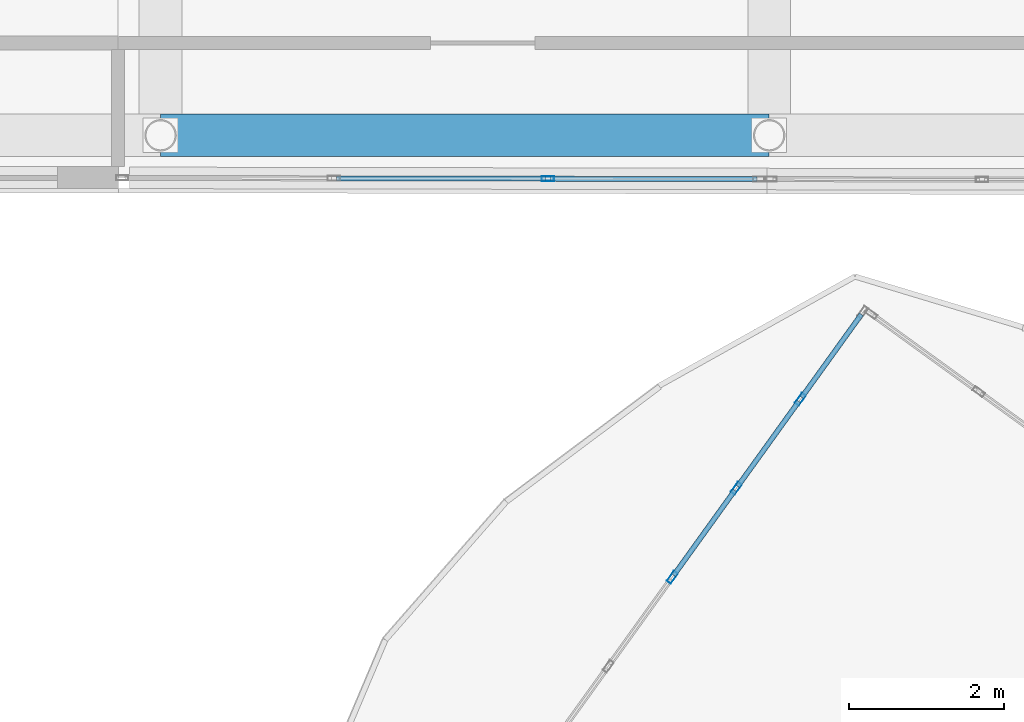
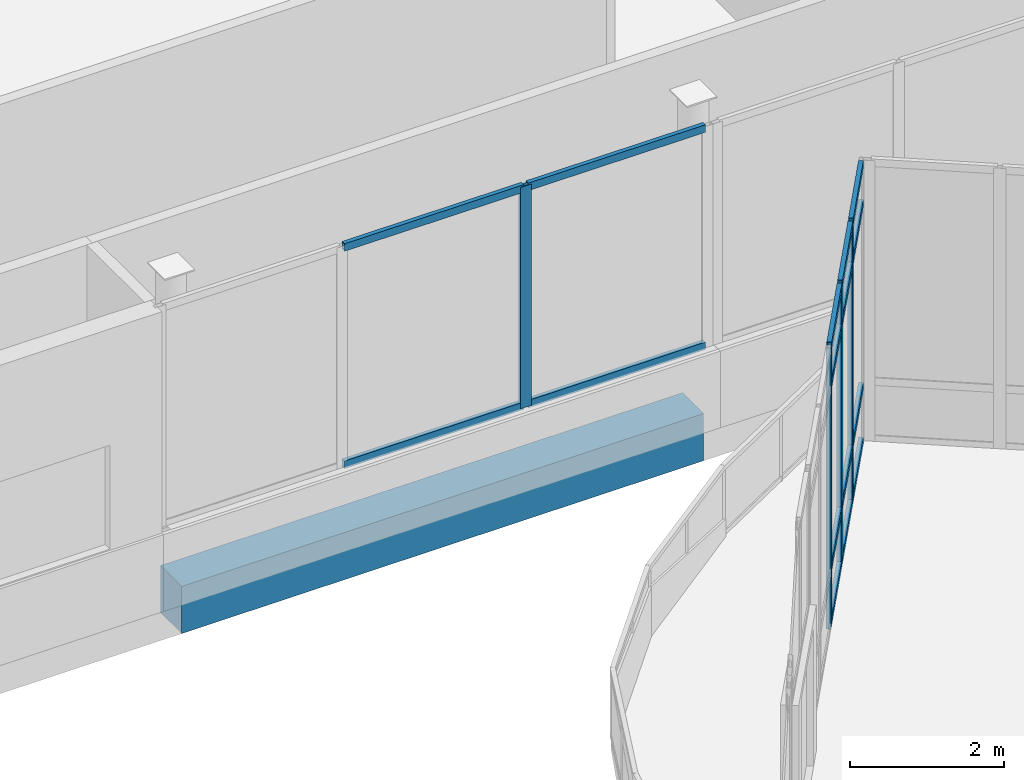
# One storey, part 26 of 155: 20 members, 1 beam, 2 elements without a shape of their own.
"""IFC4 building model written with IfcOpenShell, lengths in metres."""

import ifcopenshell
import ifcopenshell.guid

model = None  # the IFC model being written
_history = None  # IfcOwnerHistory: only IFC2X3 demands one
_inside = {}  # id of a spatial element -> (the spatial element, [elements in it])
_under = {}  # id of a project, library or spatial element -> (it, [spatial elements below it])
_declared = {}  # id of a project -> (the project, [libraries it declares])
_typed = {}  # id of a type object -> (the type object, [elements of that type])
_made_of = {}  # id of a material, layer set ... -> (it, [elements and type objects made of it])


def new_model(schema):
    """Start an empty IFC model of exactly this schema.

    Asked for "IFC4X3", IfcOpenShell would pick the latest addendum, in which some entities
    have other attributes; the version numbers below select the first issue.
    IFC2X3 requires an IfcOwnerHistory on every rooted entity: one is made here for all.
    """
    global model, _history
    if schema == "IFC4X3":
        model = ifcopenshell.file(schema_version=(4, 3, 0, 0))
    else:
        model = ifcopenshell.file(schema=schema)
    _inside.clear()
    _under.clear()
    _declared.clear()
    _typed.clear()
    _made_of.clear()
    _history = None
    if model.schema == "IFC2X3":
        org = make("IfcOrganization", Name="unknown")
        user = make(
            "IfcPersonAndOrganization",
            ThePerson=make("IfcPerson", FamilyName="unknown"),
            TheOrganization=org,
        )
        app = make(
            "IfcApplication",
            ApplicationDeveloper=org,
            Version="unknown",
            ApplicationFullName="unknown",
            ApplicationIdentifier="unknown",
        )
        _history = make(
            "IfcOwnerHistory",
            OwningUser=user,
            OwningApplication=app,
            ChangeAction="ADDED",
            CreationDate=0,
        )
    return model


def make(cls, **values):
    """One entity of the class cls with the attributes given. An attribute that is None is left unset."""
    return model.create_entity(
        cls, **{name: value for name, value in values.items() if value is not None}
    )


def rooted(cls, **values):
    """An entity with a GlobalId (a new one), such as an element, a storey or a relation."""
    return make(cls, GlobalId=ifcopenshell.guid.new(), OwnerHistory=_history, **values)


def si_unit(unit_type, name, prefix=None):
    """IfcSIUnit, for example si_unit("LENGTHUNIT", "METRE", prefix="MILLI")."""
    return make("IfcSIUnit", UnitType=unit_type, Prefix=prefix, Name=name)


def assignment(units):
    """IfcUnitAssignment: the units of a project."""
    return None if units is None else make("IfcUnitAssignment", Units=units)


def point(xyz):
    """IfcCartesianPoint."""
    return None if xyz is None else make("IfcCartesianPoint", Coordinates=xyz)


def direction(xyz):
    """IfcDirection."""
    return None if xyz is None else make("IfcDirection", DirectionRatios=xyz)


def frame(location, z_axis=None, x_axis=None):
    """IfcAxis2Placement3D, a coordinate frame: its origin and axes. An axis left out is left unset."""
    return make(
        "IfcAxis2Placement3D",
        Location=point(location),
        Axis=direction(z_axis),
        RefDirection=direction(x_axis),
    )


def frame_2d(location, x_axis=None):
    """IfcAxis2Placement2D, a coordinate frame in the plane: its origin and x axis."""
    return make(
        "IfcAxis2Placement2D", Location=point(location), RefDirection=direction(x_axis)
    )


def origin():
    """The frame at (0, 0, 0) with its axes left unset."""
    return frame((0.0, 0.0, 0.0))


def origin_2d():
    """The frame at (0, 0) in the plane with its x axis left unset."""
    return frame_2d((0.0, 0.0))


def place(relative_to, where):
    """IfcLocalPlacement: puts the frame where relative to a parent placement (None: the world)."""
    return make(
        "IfcLocalPlacement", PlacementRelTo=relative_to, RelativePlacement=where
    )


def context(
    kind, dimensions, precision=None, world=None, true_north=None, identifier=None
):
    """IfcGeometricRepresentationContext, for example the 3D "Model" context."""
    return make(
        "IfcGeometricRepresentationContext",
        ContextIdentifier=identifier,
        ContextType=kind,
        CoordinateSpaceDimension=dimensions,
        Precision=precision,
        WorldCoordinateSystem=world,
        TrueNorth=true_north,
    )


def subcontext(parent, identifier, kind, view, scale=None):
    """IfcGeometricRepresentationSubContext, for example "Body" below "Model"."""
    return make(
        "IfcGeometricRepresentationSubContext",
        ContextIdentifier=identifier,
        ContextType=kind,
        ParentContext=parent,
        TargetScale=scale,
        TargetView=view,
    )


def project(units=None, contexts=None):
    """IfcProject with its units and contexts."""
    return rooted(
        "IfcProject",
        Name="project",
        RepresentationContexts=contexts,
        UnitsInContext=assignment(units),
    )


def spatial(cls, under=None, at=None, **own):
    """A site, building, storey or space (cls), placed at a placement, below another one or the project."""
    s = rooted(cls, ObjectPlacement=at, **own)
    if under is not None:
        _under.setdefault(under.id(), (under, []))[1].append(s)
    return s


def profile(cls, at=None, kind="AREA", **sizes):
    """A parametric profile (cls). Its sizes go by their IFC names, for example OverallWidth=200.0."""
    return make(cls, ProfileType=kind, Position=at, **sizes)


def rectangle(**sizes):
    """IfcRectangleProfileDef."""
    return profile("IfcRectangleProfileDef", **sizes)


def hollow_rectangle(**sizes):
    """IfcRectangleHollowProfileDef."""
    return profile("IfcRectangleHollowProfileDef", **sizes)


def extrude(swept, where, along, depth):
    """IfcExtrudedAreaSolid: the profile swept, set in the frame where, extruded along a direction by depth."""
    return make(
        "IfcExtrudedAreaSolid",
        SweptArea=swept,
        Position=where,
        ExtrudedDirection=direction(along),
        Depth=depth,
    )


def shape(context_of_items, identifier, shape_type, items):
    """IfcShapeRepresentation: the items that make up one representation, for example the "Body"."""
    return make(
        "IfcShapeRepresentation",
        ContextOfItems=context_of_items,
        RepresentationIdentifier=identifier,
        RepresentationType=shape_type,
        Items=items,
    )


def material(Name=None, Category=None):
    """IfcMaterial."""
    return make("IfcMaterial", Name=Name, Category=Category)


def material_profile(
    of_material, cross_section, Name=None, Category=None, Priority=None
):
    """IfcMaterialProfile: a cross section and its material."""
    return make(
        "IfcMaterialProfile",
        Name=Name,
        Material=of_material,
        Profile=cross_section,
        Priority=Priority,
        Category=Category,
    )


def profile_set(profiles, Name=None, composite=None):
    """IfcMaterialProfileSet."""
    return make(
        "IfcMaterialProfileSet",
        Name=Name,
        MaterialProfiles=profiles,
        CompositeProfile=composite,
    )


def made_of(thing, what):
    """Note that an element or type object is made of a material, layer set ...; save() writes the relation."""
    if what is not None:
        _made_of.setdefault(what.id(), (what, []))[1].append(thing)
    return thing


def type_object(cls, material=None, **own):
    """A type object (cls), such as IfcWallType, which elements share."""
    return made_of(rooted(cls, **own), material)


def element(
    cls,
    number,
    at=None,
    inside=None,
    cuts=None,
    type_object=None,
    material=None,
    context=None,
    identifier="Body",
    shape_type=None,
    held_by="IfcProductDefinitionShape",
    body=None,
    shapes=None,
    **own,
):
    """One element of the class cls, such as IfcWall. Its Tag is "e" and its number.

    at: its placement. inside: the storey or other place that contains it. cuts: it is an
    opening in that element (IfcRelVoidsElement). A single representation is given by context,
    identifier, shape_type and body (its items); several are given by shapes. held_by: the class
    of the entity that holds the representations. save() writes the other relations.
    """
    e = rooted(cls, Tag="e%d" % number, ObjectPlacement=at, **own)
    if body is not None:
        shapes = [shape(context, identifier, shape_type, body)]
    if shapes is not None:
        e.Representation = make(held_by, Representations=shapes)
    if inside is not None:
        _inside.setdefault(inside.id(), (inside, []))[1].append(e)
    if cuts is not None:
        rooted(
            "IfcRelVoidsElement", RelatingBuildingElement=cuts, RelatedOpeningElement=e
        )
    if type_object is not None:
        _typed.setdefault(type_object.id(), (type_object, []))[1].append(e)
    return made_of(e, material)


def aggregate(whole, parts):
    """IfcRelAggregates: a whole, such as a stair, and the parts it consists of."""
    return rooted("IfcRelAggregates", RelatingObject=whole, RelatedObjects=parts)


def save(model, path):
    """Write the relations noted so far, then the file.

    IfcRelAggregates (storeys below a building ...), IfcRelContainedInSpatialStructure (elements
    in a storey), IfcRelDefinesByType, IfcRelAssociatesMaterial and IfcRelDeclares: one each for
    every whole, place, type object, material and project.
    """
    for whole, parts in _under.values():
        aggregate(whole, parts)
    for where, things in _inside.values():
        rooted(
            "IfcRelContainedInSpatialStructure",
            RelatedElements=things,
            RelatingStructure=where,
        )
    for kind, things in _typed.values():
        rooted("IfcRelDefinesByType", RelatedObjects=things, RelatingType=kind)
    for what, things in _made_of.values():
        rooted("IfcRelAssociatesMaterial", RelatedObjects=things, RelatingMaterial=what)
    for by, libraries in _declared.values():
        rooted("IfcRelDeclares", RelatingContext=by, RelatedDefinitions=libraries)
    model.write(path)


model = new_model("IFC4")

# Units and contexts
model_context = context("Model", 3, precision=1e-05, world=origin(), true_north=direction((0.0, 1.0)))
body_context = subcontext(model_context, "Body", "Model", "MODEL_VIEW")
ifc_project = project(units=[si_unit("LENGTHUNIT", "METRE"), si_unit("AREAUNIT", "SQUARE_METRE"), si_unit("VOLUMEUNIT", "CUBIC_METRE"), si_unit("PLANEANGLEUNIT", "RADIAN"), si_unit("MASSUNIT", "GRAM", prefix="KILO")], contexts=[model_context])

# Site, building, storey
site_placement = place(None, origin())
site = spatial("IfcSite", under=ifc_project, at=site_placement, CompositionType="ELEMENT")
building_placement = place(site_placement, origin())
building = spatial("IfcBuilding", under=site, at=building_placement, Name="Selatvlak General Hospital", CompositionType="ELEMENT")
storey_placement = place(building_placement, frame((0.0, 0.0, 10.199951171875)))
storey = spatial("IfcBuildingStorey", under=building, at=storey_placement, Name="L02", CompositionType="ELEMENT", Elevation=10.199951171875)

# Beam
ifc_material_1 = material(Name="Concrete C40/50", Category="concrete")
ifc_material_profile_1 = material_profile(ifc_material_1, rectangle(XDim=0.550048828125, YDim=0.75, at=origin_2d()), Name="RC-BM 550x750")
ifc_profile_set_1 = profile_set([ifc_material_profile_1], Name="Concrete C40/50")
beam_type = type_object("IfcBeamType", Name="BM-G02", PredefinedType="BEAM", material=ifc_profile_set_1)
beam_placement = place(storey_placement, frame((23.35009765625, 52.550048828125, -0.72998046875), z_axis=(1.0, 0.0, 0.0), x_axis=(0.0, 1.0, 0.0)))
element("IfcBeam", 1, at=beam_placement, inside=storey, type_object=beam_type, Name="Beam BMR-L02-0767", PredefinedType="BEAM", context=body_context, shape_type="SweptSolid", body=[
    extrude(rectangle(XDim=0.550048828125, YDim=0.75, at=origin_2d()), origin(), (0.0, 0.0, 1.0), 7.849853515625),
])

# Curtain wall, members
ifc_material_2 = material(Name="Solar-control Low-E double glazing", Category="glass")
curtain_wall_type_1 = type_object("IfcCurtainWallType", Name="CW-CW-01", PredefinedType="USERDEFINED", material=ifc_material_2)
curtain_wall_1_placement = place(storey_placement, origin())
curtain_wall_1 = element("IfcCurtainWall", 2, at=curtain_wall_1_placement, inside=storey, type_object=curtain_wall_type_1, Name="Glazed facade curtain wall CW-L02-0320", ObjectType="UNITISED CURTAIN WALL", PredefinedType="USERDEFINED")
ifc_material_3 = material(Name="Dark anodised aluminium mullion", Category="aluminium")
ifc_material_profile_2 = material_profile(ifc_material_3, hollow_rectangle(XDim=0.06494140625, YDim=0.159912109375, WallThickness=0.00390625, at=origin_2d()), Name="AL-MUL 65x160x4")
ifc_profile_set_2 = profile_set([ifc_material_profile_2], Name="Dark anodised aluminium mullion")
member_type_1 = type_object("IfcMemberType", Name="CWM-01", PredefinedType="MULLION", material=ifc_profile_set_2)
member_1_placement = place(storey_placement, frame((29.94970703125, 46.848388671875, 0.0), z_axis=(0.0, 0.0, 1.0), x_axis=(-0.811837318502, 0.583883694145, 0.0)))
member_1 = element("IfcMember", 3, at=member_1_placement, type_object=member_type_1, Name="CW-01 mullion 3", PredefinedType="MULLION", context=body_context, shape_type="SweptSolid", body=[
    extrude(hollow_rectangle(XDim=0.06494140625, YDim=0.159912109375, WallThickness=0.00390625, at=origin_2d()), origin(), (0.0, 0.0, 1.0), 4.4599609375),
])
member_2_placement = place(storey_placement, frame((30.775390625, 47.99658203125, 0.0), z_axis=(0.0, 0.0, 1.0), x_axis=(-0.811837318502, 0.583883694145, 0.0)))
member_2 = element("IfcMember", 4, at=member_2_placement, type_object=member_type_1, Name="CW-01 mullion 4", PredefinedType="MULLION", context=body_context, shape_type="SweptSolid", body=[
    extrude(hollow_rectangle(XDim=0.06494140625, YDim=0.159912109375, WallThickness=0.00390625, at=origin_2d()), origin(), (0.0, 0.0, 1.0), 4.4599609375),
])
member_3_placement = place(storey_placement, frame((31.601318359375, 49.144775390625, 0.0), z_axis=(0.0, 0.0, 1.0), x_axis=(-0.811837318502, 0.583883694145, 0.0)))
member_3 = element("IfcMember", 5, at=member_3_placement, type_object=member_type_1, Name="CW-01 mullion 5", PredefinedType="MULLION", context=body_context, shape_type="SweptSolid", body=[
    extrude(hollow_rectangle(XDim=0.06494140625, YDim=0.159912109375, WallThickness=0.00390625, at=origin_2d()), origin(), (0.0, 0.0, 1.0), 4.4599609375),
])

# Curtain wall, member
curtain_wall_type_2 = type_object("IfcCurtainWallType", Name="CW-CW-02", PredefinedType="USERDEFINED", material=ifc_material_2)
curtain_wall_2_placement = place(storey_placement, origin())
curtain_wall_2 = element("IfcCurtainWall", 6, at=curtain_wall_2_placement, inside=storey, type_object=curtain_wall_type_2, Name="Glazed facade curtain wall CW-L02-0345", ObjectType="UNITISED CURTAIN WALL", PredefinedType="USERDEFINED")
member_4_placement = place(storey_placement, frame((28.34521484375, 51.989990234375, 0.93994140625), z_axis=(0.0, 0.0, 1.0), x_axis=(-0.001811153756, -0.99999835986, 0.0)))
member_4 = element("IfcMember", 7, at=member_4_placement, type_object=member_type_1, Name="CW-02 mullion 2", PredefinedType="MULLION", context=body_context, shape_type="SweptSolid", body=[
    extrude(hollow_rectangle(XDim=0.06494140625, YDim=0.159912109375, WallThickness=0.00390625, at=origin_2d()), origin(), (0.0, 0.0, 1.0), 3.52001953125),
])

# Member
ifc_material_profile_3 = material_profile(ifc_material_3, hollow_rectangle(XDim=0.06494140625, YDim=0.1201171875, WallThickness=0.00390625, at=origin_2d()), Name="AL-TRN 65x120x4")
ifc_profile_set_3 = profile_set([ifc_material_profile_3], Name="Dark anodised aluminium mullion")
member_type_2 = type_object("IfcMemberType", Name="CWT-01", PredefinedType="USERDEFINED", material=ifc_profile_set_3)
member_5_placement = place(storey_placement, frame((29.968505859375, 46.874755859375, 0.032470703125), z_axis=(0.583870898815, 0.811846520912, 0.0), x_axis=(-0.811846520912, 0.583870898815, 0.0)))
member_5 = element("IfcMember", 8, at=member_5_placement, type_object=member_type_2, Name="CW-01 transom 3.1", ObjectType="TRANSOM", PredefinedType="USERDEFINED", context=body_context, shape_type="SweptSolid", body=[
    extrude(hollow_rectangle(XDim=0.06494140625, YDim=0.1201171875, WallThickness=0.00390625, at=origin_2d()), origin(), (0.0, 0.0, 1.0), 1.349365234375),
])

member_6_placement = place(storey_placement, frame((29.968505859375, 46.874755859375, 0.900146484375), z_axis=(0.583870898815, 0.811846520912, 0.0), x_axis=(-0.811846520912, 0.583870898815, 0.0)))
member_6 = element("IfcMember", 9, at=member_6_placement, type_object=member_type_2, Name="CW-01 transom 3.2", ObjectType="TRANSOM", PredefinedType="USERDEFINED", context=body_context, shape_type="SweptSolid", body=[
    extrude(hollow_rectangle(XDim=0.06494140625, YDim=0.1201171875, WallThickness=0.00390625, at=origin_2d()), origin(), (0.0, 0.0, 1.0), 1.349365234375),
])

member_7_placement = place(storey_placement, frame((29.968505859375, 46.874755859375, 3.81005859375), z_axis=(0.583870898815, 0.811846520912, 0.0), x_axis=(-0.811846520912, 0.583870898815, 0.0)))
member_7 = element("IfcMember", 10, at=member_7_placement, type_object=member_type_2, Name="CW-01 transom 3.3", ObjectType="TRANSOM", PredefinedType="USERDEFINED", context=body_context, shape_type="SweptSolid", body=[
    extrude(hollow_rectangle(XDim=0.06494140625, YDim=0.1201171875, WallThickness=0.00390625, at=origin_2d()), origin(), (0.0, 0.0, 1.0), 1.349365234375),
])

member_8_placement = place(storey_placement, frame((29.968505859375, 46.874755859375, 4.427490234375), z_axis=(0.583870898815, 0.811846520912, 0.0), x_axis=(-0.811846520912, 0.583870898815, 0.0)))
member_8 = element("IfcMember", 11, at=member_8_placement, type_object=member_type_2, Name="CW-01 transom 3.4", ObjectType="TRANSOM", PredefinedType="USERDEFINED", context=body_context, shape_type="SweptSolid", body=[
    extrude(hollow_rectangle(XDim=0.06494140625, YDim=0.1201171875, WallThickness=0.00390625, at=origin_2d()), origin(), (0.0, 0.0, 1.0), 1.349365234375),
])

member_9_placement = place(storey_placement, frame((30.79443359375, 48.02294921875, 0.032470703125), z_axis=(0.583870898815, 0.811846520912, 0.0), x_axis=(-0.811846520912, 0.583870898815, 0.0)))
member_9 = element("IfcMember", 12, at=member_9_placement, type_object=member_type_2, Name="CW-01 transom 4.1", ObjectType="TRANSOM", PredefinedType="USERDEFINED", context=body_context, shape_type="SweptSolid", body=[
    extrude(hollow_rectangle(XDim=0.06494140625, YDim=0.1201171875, WallThickness=0.00390625, at=origin_2d()), origin(), (0.0, 0.0, 1.0), 1.349365234375),
])

member_10_placement = place(storey_placement, frame((30.79443359375, 48.02294921875, 0.900146484375), z_axis=(0.583870898815, 0.811846520912, 0.0), x_axis=(-0.811846520912, 0.583870898815, 0.0)))
member_10 = element("IfcMember", 13, at=member_10_placement, type_object=member_type_2, Name="CW-01 transom 4.2", ObjectType="TRANSOM", PredefinedType="USERDEFINED", context=body_context, shape_type="SweptSolid", body=[
    extrude(hollow_rectangle(XDim=0.06494140625, YDim=0.1201171875, WallThickness=0.00390625, at=origin_2d()), origin(), (0.0, 0.0, 1.0), 1.349365234375),
])

member_11_placement = place(storey_placement, frame((30.79443359375, 48.02294921875, 3.81005859375), z_axis=(0.583870898815, 0.811846520912, 0.0), x_axis=(-0.811846520912, 0.583870898815, 0.0)))
member_11 = element("IfcMember", 14, at=member_11_placement, type_object=member_type_2, Name="CW-01 transom 4.3", ObjectType="TRANSOM", PredefinedType="USERDEFINED", context=body_context, shape_type="SweptSolid", body=[
    extrude(hollow_rectangle(XDim=0.06494140625, YDim=0.1201171875, WallThickness=0.00390625, at=origin_2d()), origin(), (0.0, 0.0, 1.0), 1.349365234375),
])

member_12_placement = place(storey_placement, frame((30.79443359375, 48.02294921875, 4.427490234375), z_axis=(0.583870898815, 0.811846520912, 0.0), x_axis=(-0.811846520912, 0.583870898815, 0.0)))
member_12 = element("IfcMember", 15, at=member_12_placement, type_object=member_type_2, Name="CW-01 transom 4.4", ObjectType="TRANSOM", PredefinedType="USERDEFINED", context=body_context, shape_type="SweptSolid", body=[
    extrude(hollow_rectangle(XDim=0.06494140625, YDim=0.1201171875, WallThickness=0.00390625, at=origin_2d()), origin(), (0.0, 0.0, 1.0), 1.349365234375),
])

member_13_placement = place(storey_placement, frame((31.6201171875, 49.171142578125, 0.032470703125), z_axis=(0.583953050917, 0.811787431736, 0.0), x_axis=(-0.811787431736, 0.583953050917, 0.0)))
member_13 = element("IfcMember", 16, at=member_13_placement, type_object=member_type_2, Name="CW-01 transom 5.1", ObjectType="TRANSOM", PredefinedType="USERDEFINED", context=body_context, shape_type="SweptSolid", body=[
    extrude(hollow_rectangle(XDim=0.06494140625, YDim=0.1201171875, WallThickness=0.00390625, at=origin_2d()), origin(), (0.0, 0.0, 1.0), 1.31689453125),
])

member_14_placement = place(storey_placement, frame((31.6201171875, 49.171142578125, 0.900146484375), z_axis=(0.583953050917, 0.811787431736, 0.0), x_axis=(-0.811787431736, 0.583953050917, 0.0)))
member_14 = element("IfcMember", 17, at=member_14_placement, type_object=member_type_2, Name="CW-01 transom 5.2", ObjectType="TRANSOM", PredefinedType="USERDEFINED", context=body_context, shape_type="SweptSolid", body=[
    extrude(hollow_rectangle(XDim=0.06494140625, YDim=0.1201171875, WallThickness=0.00390625, at=origin_2d()), origin(), (0.0, 0.0, 1.0), 1.31689453125),
])

member_15_placement = place(storey_placement, frame((31.6201171875, 49.171142578125, 3.81005859375), z_axis=(0.583953050917, 0.811787431736, 0.0), x_axis=(-0.811787431736, 0.583953050917, 0.0)))
member_15 = element("IfcMember", 18, at=member_15_placement, type_object=member_type_2, Name="CW-01 transom 5.3", ObjectType="TRANSOM", PredefinedType="USERDEFINED", context=body_context, shape_type="SweptSolid", body=[
    extrude(hollow_rectangle(XDim=0.06494140625, YDim=0.1201171875, WallThickness=0.00390625, at=origin_2d()), origin(), (0.0, 0.0, 1.0), 1.31689453125),
])

member_16_placement = place(storey_placement, frame((31.6201171875, 49.171142578125, 4.427490234375), z_axis=(0.583953050917, 0.811787431736, 0.0), x_axis=(-0.811787431736, 0.583953050917, 0.0)))
member_16 = element("IfcMember", 19, at=member_16_placement, type_object=member_type_2, Name="CW-01 transom 5.4", ObjectType="TRANSOM", PredefinedType="USERDEFINED", context=body_context, shape_type="SweptSolid", body=[
    extrude(hollow_rectangle(XDim=0.06494140625, YDim=0.1201171875, WallThickness=0.00390625, at=origin_2d()), origin(), (0.0, 0.0, 1.0), 1.31689453125),
])

aggregate(curtain_wall_1, [member_1, member_2, member_3, member_5, member_6, member_7, member_8, member_9, member_10, member_11, member_12, member_13, member_14, member_15, member_16])

member_17_placement = place(storey_placement, frame((31.041015625, 51.985107421875, 0.97265625), z_axis=(-0.999998319113, 0.001833513603, 0.0), x_axis=(-0.001833513603, -0.999998319113, 0.0)))
member_17 = element("IfcMember", 20, at=member_17_placement, type_object=member_type_2, Name="CW-02 transom 1.1", ObjectType="TRANSOM", PredefinedType="USERDEFINED", context=body_context, shape_type="SweptSolid", body=[
    extrude(hollow_rectangle(XDim=0.06494140625, YDim=0.1201171875, WallThickness=0.00390625, at=origin_2d()), origin(), (0.0, 0.0, 1.0), 2.6630859375),
])

member_18_placement = place(storey_placement, frame((31.041015625, 51.985107421875, 4.427490234375), z_axis=(-0.999998319113, 0.001833513603, 0.0), x_axis=(-0.001833513603, -0.999998319113, 0.0)))
member_18 = element("IfcMember", 21, at=member_18_placement, type_object=member_type_2, Name="CW-02 transom 1.2", ObjectType="TRANSOM", PredefinedType="USERDEFINED", context=body_context, shape_type="SweptSolid", body=[
    extrude(hollow_rectangle(XDim=0.06494140625, YDim=0.1201171875, WallThickness=0.00390625, at=origin_2d()), origin(), (0.0, 0.0, 1.0), 2.6630859375),
])

member_19_placement = place(storey_placement, frame((28.312744140625, 51.989990234375, 0.97265625), z_axis=(-0.999998359364, 0.001811427152, 0.0), x_axis=(-0.001811427152, -0.999998359364, 0.0)))
member_19 = element("IfcMember", 22, at=member_19_placement, type_object=member_type_2, Name="CW-02 transom 2.1", ObjectType="TRANSOM", PredefinedType="USERDEFINED", context=body_context, shape_type="SweptSolid", body=[
    extrude(hollow_rectangle(XDim=0.06494140625, YDim=0.1201171875, WallThickness=0.00390625, at=origin_2d()), origin(), (0.0, 0.0, 1.0), 2.695556640625),
])

member_20_placement = place(storey_placement, frame((28.312744140625, 51.989990234375, 4.427490234375), z_axis=(-0.999998359364, 0.001811427152, 0.0), x_axis=(-0.001811427152, -0.999998359364, 0.0)))
member_20 = element("IfcMember", 23, at=member_20_placement, type_object=member_type_2, Name="CW-02 transom 2.2", ObjectType="TRANSOM", PredefinedType="USERDEFINED", context=body_context, shape_type="SweptSolid", body=[
    extrude(hollow_rectangle(XDim=0.06494140625, YDim=0.1201171875, WallThickness=0.00390625, at=origin_2d()), origin(), (0.0, 0.0, 1.0), 2.695556640625),
])

aggregate(curtain_wall_2, [member_4, member_17, member_18, member_19, member_20])

save(model, "model.ifc")
